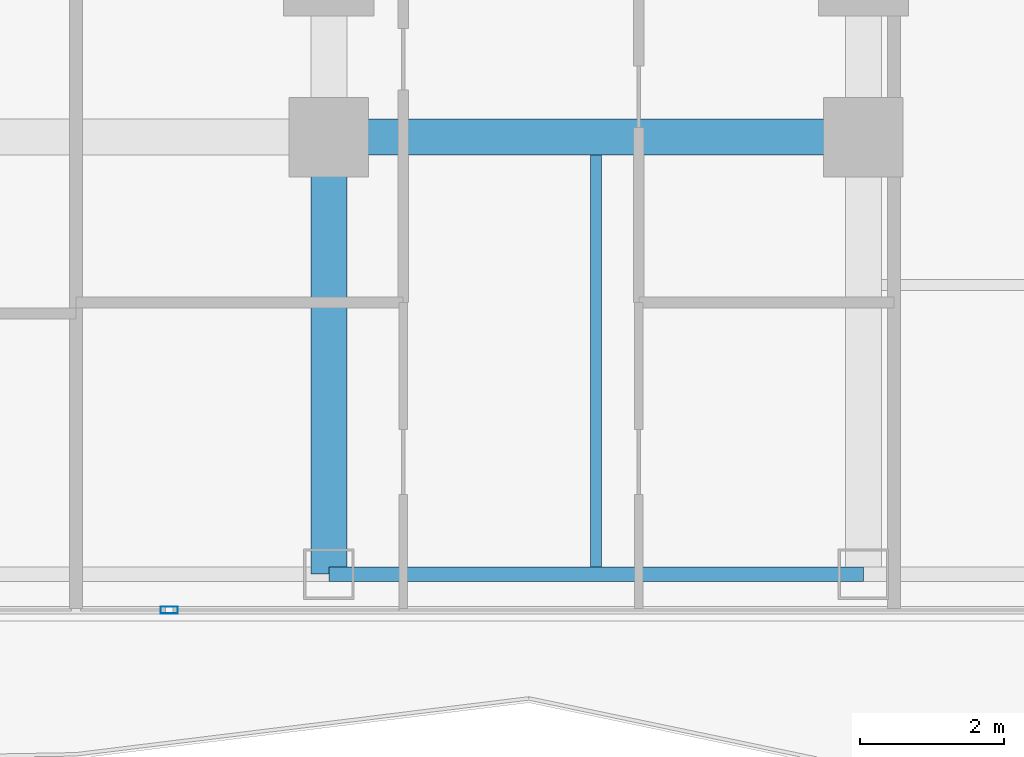
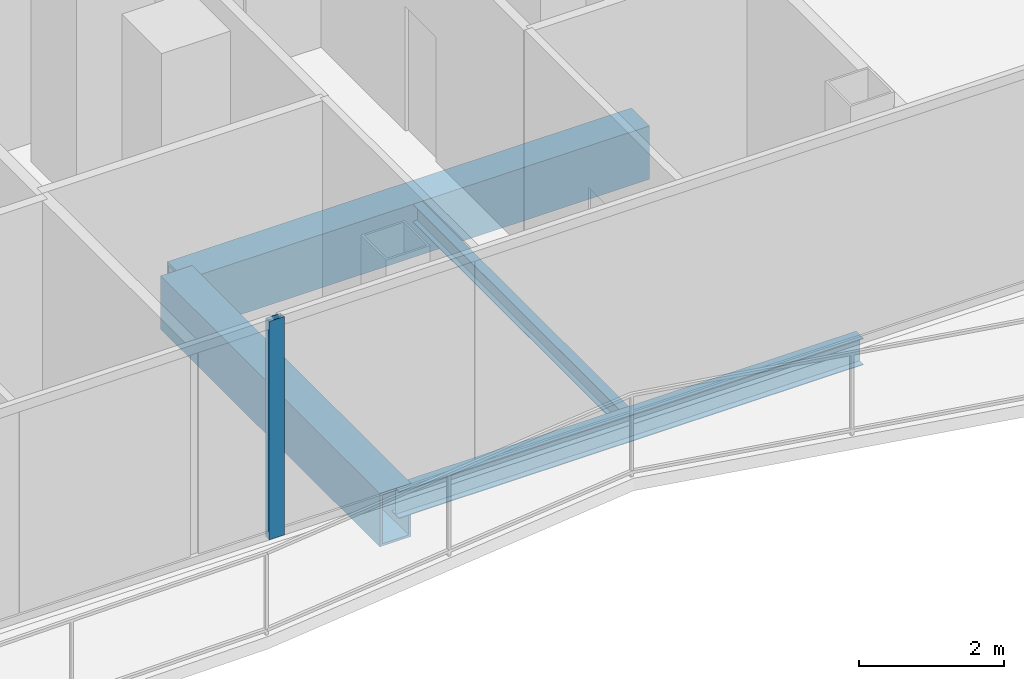
# One storey, part 4 of 29: 4 beams, 1 member, 1 element without a shape of its own.
"""IFC4 building model written with IfcOpenShell, lengths in metres."""

from ifc_helpers import new_model, si_unit, direction, frame, origin, origin_2d, place, context, subcontext, project, spatial, hollow_rectangle, i_section, extrude, material, layer, layer_set, material_profile, profile_set, type_object, element, aggregate, save


model = new_model("IFC4")

# Units and contexts
model_context = context("Model", 3, precision=1e-05, world=origin(), true_north=direction((0.0, 1.0)))
body_context = subcontext(model_context, "Body", "Model", "MODEL_VIEW")
ifc_project = project(units=[si_unit("LENGTHUNIT", "METRE"), si_unit("AREAUNIT", "SQUARE_METRE"), si_unit("VOLUMEUNIT", "CUBIC_METRE"), si_unit("PLANEANGLEUNIT", "RADIAN"), si_unit("MASSUNIT", "GRAM", prefix="KILO")], contexts=[model_context])

# Site, building, storey
site_placement = place(None, origin())
site = spatial("IfcSite", under=ifc_project, at=site_placement, CompositionType="ELEMENT")
building_placement = place(site_placement, origin())
building = spatial("IfcBuilding", under=site, at=building_placement, Name="Khorvyn Point Tower", CompositionType="ELEMENT")
storey_placement = place(building_placement, frame((0.0, 0.0, 136.800048828125)))
storey = spatial("IfcBuildingStorey", under=building, at=storey_placement, Name="L34", CompositionType="ELEMENT", Elevation=136.800048828125)

# Curtain wall, member
ifc_material_1 = material(Name="Anodised aluminium 6063-T6 and laminated Low-E glass", Category="aluminium")
ifc_layer = layer(ifc_material_1, 0.18994140625)
ifc_layer_set = layer_set([ifc_layer], Name="Stick-Built Acoustic Curtain Wall CW-SYS-03")
curtain_wall_type = type_object("IfcCurtainWallType", Name="Stick-Built Acoustic Curtain Wall CW-SYS-03", PredefinedType="NOTDEFINED", material=ifc_layer_set)
curtain_wall_placement = place(storey_placement, origin())
curtain_wall = element("IfcCurtainWall", 1, at=curtain_wall_placement, inside=storey, type_object=curtain_wall_type, Name="Curtain Wall", PredefinedType="NOTDEFINED")
ifc_material_2 = material(Name="Anodised aluminium 6063-T6", Category="aluminium")
ifc_material_profile_1 = material_profile(ifc_material_2, hollow_rectangle(XDim=0.10009765625, YDim=0.239990234375, WallThickness=0.0048828125, at=origin_2d()))
ifc_profile_set_1 = profile_set([ifc_material_profile_1], Name="Anodised aluminium 6063-T6 ALU-MUL-100x240")
member_type = type_object("IfcMemberType", Name="Anodised Aluminium 6063-T6 Mullion ALU-MUL-100x240", PredefinedType="MULLION", material=ifc_profile_set_1)
member_placement = place(storey_placement, frame((5.1904296875, -23.64990234375, 0.0), z_axis=(0.0, 0.0, 1.0), x_axis=(0.0, -1.0, 0.0)))
member = element("IfcMember", 2, at=member_placement, type_object=member_type, Name="Transom", PredefinedType="MULLION", context=body_context, shape_type="SweptSolid", body=[
    extrude(hollow_rectangle(XDim=0.10009765625, YDim=0.239990234375, WallThickness=0.0048828125, at=origin_2d()), origin(), (0.0, 0.0, 1.0), 3.679931640625),
])
aggregate(curtain_wall, [member])

# Beams
ifc_material_3 = material(Name="Steel S355", Category="steel")
ifc_material_profile_2 = material_profile(ifc_material_3, i_section(OverallWidth=0.14990234375, OverallDepth=0.300048828125, WebThickness=0.006591796875, FlangeThickness=0.009033203125, at=origin_2d()))
ifc_profile_set_2 = profile_set([ifc_material_profile_2], Name="Steel S355 H300x150x6.5x9")
beam_type_1 = type_object("IfcBeamType", Name="Steel S355 Joist H300x150x6.5x9", PredefinedType="JOIST", material=ifc_profile_set_2)
beam_1_placement = place(storey_placement, frame((11.10009765625, -23.050048828125, -0.429931640625), z_axis=(0.0, 1.0, 0.0), x_axis=(-1.0, 0.0, 0.0)))
element("IfcBeam", 3, at=beam_1_placement, inside=storey, type_object=beam_type_1, Name="Beam", PredefinedType="JOIST", context=body_context, shape_type="SweptSolid", body=[
    extrude(i_section(OverallWidth=0.14990234375, OverallDepth=0.300048828125, WebThickness=0.006591796875, FlangeThickness=0.009033203125, at=origin_2d()), origin(), (0.0, 0.0, 1.0), 5.699951171875),
])
ifc_material_profile_3 = material_profile(ifc_material_3, i_section(OverallWidth=0.199951171875, OverallDepth=0.449951171875, WebThickness=0.009033203125, FlangeThickness=0.013916015625, at=origin_2d()))
ifc_profile_set_3 = profile_set([ifc_material_profile_3], Name="Steel S355 H450x200x9x14")
beam_type_2 = type_object("IfcBeamType", Name="Steel S355 Spandrel H450x200x9x14", PredefinedType="SPANDREL", material=ifc_profile_set_3)
beam_2_placement = place(storey_placement, frame((7.39990234375, -23.14990234375, -0.505126953125), z_axis=(1.0, 0.0, 0.0), x_axis=(0.0, 1.0, 0.0)))
element("IfcBeam", 4, at=beam_2_placement, inside=storey, type_object=beam_type_2, Name="Beam", PredefinedType="SPANDREL", context=body_context, shape_type="SweptSolid", body=[
    extrude(i_section(OverallWidth=0.199951171875, OverallDepth=0.449951171875, WebThickness=0.009033203125, FlangeThickness=0.013916015625, at=origin_2d()), origin(), (0.0, 0.0, 1.0), 7.400146484375),
])
ifc_material_4 = material(Name="Steel S450", Category="steel")
ifc_material_profile_4 = material_profile(ifc_material_4, hollow_rectangle(XDim=0.5, YDim=0.89990234375, WallThickness=0.0400390625, at=origin_2d()))
ifc_profile_set_4 = profile_set([ifc_material_profile_4], Name="Steel S450 BOX900x500x40")
beam_type_3 = type_object("IfcBeamType", Name="Steel S450 Beam BOX900x500x40", PredefinedType="BEAM", material=ifc_profile_set_4)
beam_3_placement = place(storey_placement, frame((7.39990234375, -17.10009765625, -0.72998046875), z_axis=(1.0, 0.0, 0.0), x_axis=(0.0, 1.0, 0.0)))
element("IfcBeam", 5, at=beam_3_placement, inside=storey, type_object=beam_type_3, Name="Beam", PredefinedType="BEAM", context=body_context, shape_type="SweptSolid", body=[
    extrude(hollow_rectangle(XDim=0.5, YDim=0.89990234375, WallThickness=0.0400390625, at=origin_2d()), origin(), (0.0, 0.0, 1.0), 7.400146484375),
])
beam_4_placement = place(storey_placement, frame((7.39990234375, -23.14990234375, -0.72998046875), z_axis=(0.0, 1.0, 0.0), x_axis=(-1.0, 0.0, 0.0)))
element("IfcBeam", 6, at=beam_4_placement, inside=storey, type_object=beam_type_3, Name="Beam", PredefinedType="BEAM", context=body_context, shape_type="SweptSolid", body=[
    extrude(hollow_rectangle(XDim=0.5, YDim=0.89990234375, WallThickness=0.0400390625, at=origin_2d()), origin(), (0.0, 0.0, 1.0), 6.0498046875),
])

save(model, "model.ifc")
